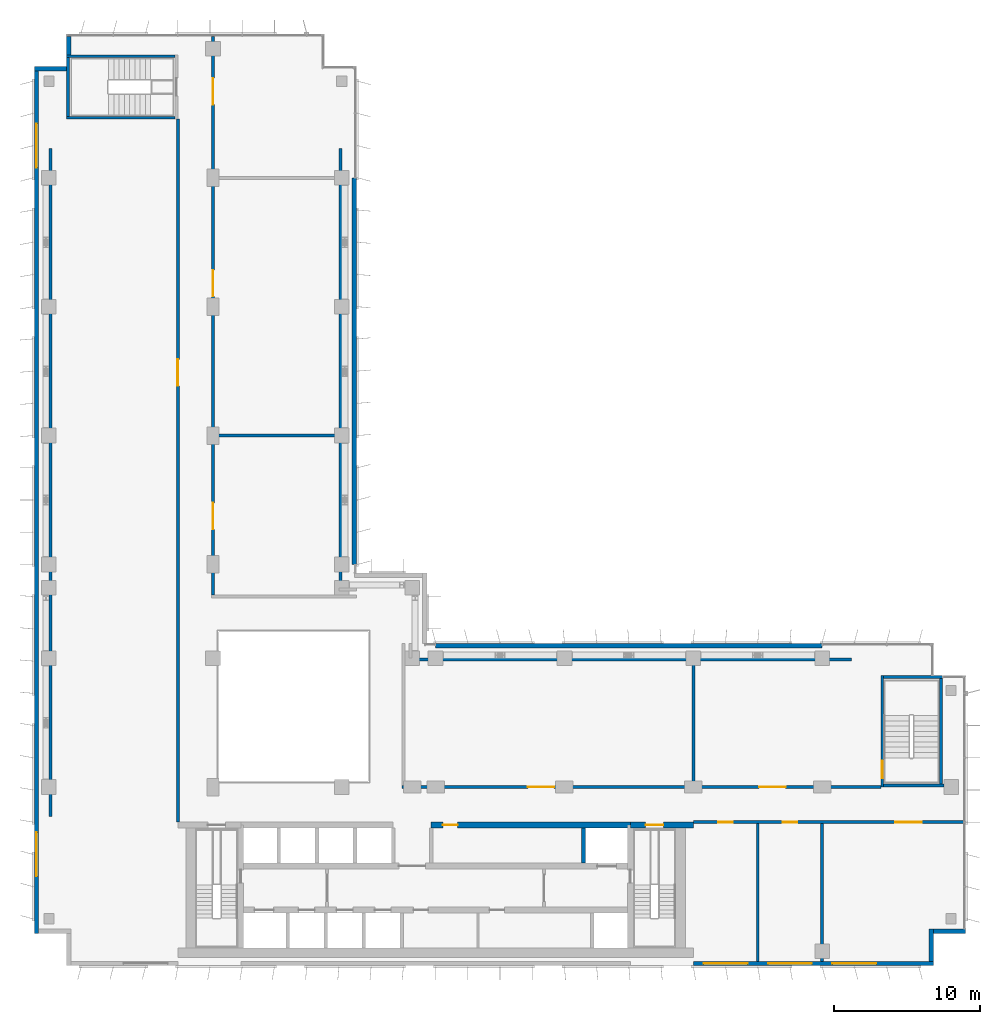
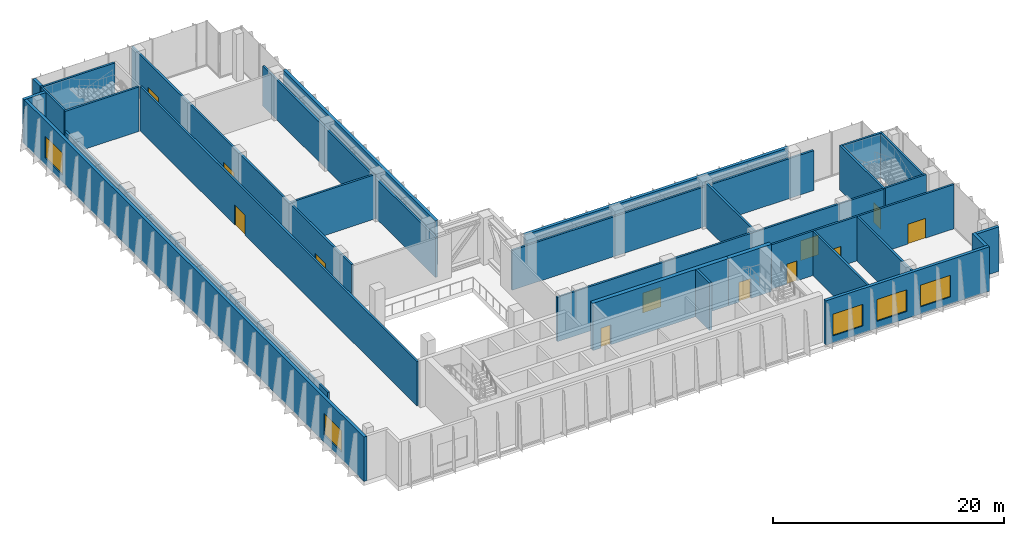
# One storey, part 12 of 17: 29 walls, 12 doors, 5 windows, 17 openings.
"""IFC4 building model written with IfcOpenShell, lengths in metres."""

from ifc_helpers import new_model, si_unit, direction, frame, frame_2d, origin, place, context, subcontext, project, spatial, rectangle, extrude, material, layer, layer_set, type_object, element, fill, save


model = new_model("IFC4")

# Units and contexts
model_context = context("Model", 3, precision=1e-05, world=origin(), true_north=direction((0.0, 1.0)))
body_context = subcontext(model_context, "Body", "Model", "MODEL_VIEW")
ifc_project = project(units=[si_unit("LENGTHUNIT", "METRE"), si_unit("AREAUNIT", "SQUARE_METRE"), si_unit("VOLUMEUNIT", "CUBIC_METRE"), si_unit("PLANEANGLEUNIT", "RADIAN"), si_unit("MASSUNIT", "GRAM", prefix="KILO")], contexts=[model_context])

# Site, building, storey
site_placement = place(None, origin())
site = spatial("IfcSite", under=ifc_project, at=site_placement, CompositionType="ELEMENT")
building_placement = place(site_placement, origin())
building = spatial("IfcBuilding", under=site, at=building_placement, Name="Kemantara Hotel Tower", CompositionType="ELEMENT")
storey_placement = place(building_placement, frame((0.0, 0.0, 193.800048828125)))
storey = spatial("IfcBuildingStorey", under=building, at=storey_placement, Name="L48", CompositionType="ELEMENT", Elevation=193.800048828125)

# Walls
ifc_material_1 = material(Name="Bronze anodised aluminium cladding on insulated steel stud wall", Category="steel")
ifc_layer_1 = layer(ifc_material_1, 0.300048828125)
ifc_layer_set_1 = layer_set([ifc_layer_1], Name="Bronze anodised aluminium cladding on insulated steel stud wall")
wall_type_1 = type_object("IfcWallType", Name="BRONZE METAL-CLAD EXTERNAL WALL 300", PredefinedType="STANDARD", material=ifc_layer_set_1)
wall_1_placement = place(storey_placement, frame((2.35009765625, 63.449951171875, 0.0), z_axis=(0.0, 0.0, 1.0), x_axis=(0.0, -1.0, 0.0)))
element("IfcWall", 1, at=wall_1_placement, inside=storey, type_object=wall_type_1, Name="EXTERNAL WALL L48 T3-R03", PredefinedType="STANDARD", context=body_context, shape_type="SweptSolid", body=[
    extrude(rectangle(XDim=1.25, YDim=0.300048828125, at=frame_2d((0.625, 0.0))), origin(), (0.0, 0.0, 1.0), 4.699951171875),
])
wall_2_placement = place(storey_placement, frame((2.199951171875, 61.25, 0.0), z_axis=(0.0, 0.0, 1.0), x_axis=(-1.0, 0.0, 0.0)))
element("IfcWall", 2, at=wall_2_placement, inside=storey, type_object=wall_type_1, Name="EXTERNAL WALL L48 T3-R04", PredefinedType="STANDARD", context=body_context, shape_type="SweptSolid", body=[
    extrude(rectangle(XDim=2.199951171875, YDim=0.300048828125, at=frame_2d((1.10009765625, 0.0))), origin(), (0.0, 0.0, 1.0), 4.699951171875),
])

# Wall, openings, windows
wall_3_placement = place(storey_placement, frame((0.14990234375, 61.10009765625, 0.0), z_axis=(0.0, 0.0, 1.0), x_axis=(0.0, -1.0, 0.0)))
wall_3 = element("IfcWall", 3, at=wall_3_placement, inside=storey, type_object=wall_type_1, Name="EXTERNAL WALL L48 T3-R05", PredefinedType="STANDARD", context=body_context, shape_type="SweptSolid", body=[
    extrude(rectangle(XDim=58.900146484375, YDim=0.300048828125, at=frame_2d((29.4501953125, 0.0))), origin(), (0.0, 0.0, 1.0), 4.699951171875),
])
opening_1_placement = place(wall_3_placement, frame((3.60009765625, 0.0, 0.75)))
opening_1 = element("IfcOpeningElement", 4, at=opening_1_placement, cuts=wall_3, Name="Opening W1", PredefinedType="OPENING", context=body_context, shape_type="SweptSolid", body=[
    extrude(rectangle(XDim=3.0, YDim=2.300048828125, at=frame_2d((1.5, 1.14990234375))), frame((0.0, 0.159912109375, 0.0), z_axis=(0.0, -1.0, 0.0), x_axis=(1.0, 0.0, 0.0)), (0.0, 0.0, 1.0), 0.320068359375),
])
opening_2_placement = place(wall_3_placement, frame((52.0, 0.0, 0.75)))
opening_2 = element("IfcOpeningElement", 5, at=opening_2_placement, cuts=wall_3, Name="Opening W1", PredefinedType="OPENING", context=body_context, shape_type="SweptSolid", body=[
    extrude(rectangle(XDim=3.0, YDim=2.300048828125, at=frame_2d((1.5, 1.14990234375))), frame((0.0, 0.159912109375, 0.0), z_axis=(0.0, -1.0, 0.0), x_axis=(1.0, 0.0, 0.0)), (0.0, 0.0, 1.0), 0.320068359375),
])
ifc_material_2 = material(Name="Low-E tinted double insulated glass in bronze anodised aluminium frame", Category="aluminium")
window_type = type_object("IfcWindowType", Name="CHICAGO WINDOW, TRIPLE PANEL 3000x2300", PartitioningType="TRIPLE_PANEL_VERTICAL", PredefinedType="WINDOW", material=ifc_material_2)
window_1_placement = place(opening_1_placement, origin())
window_1 = element("IfcWindow", 6, at=window_1_placement, inside=storey, type_object=window_type, Name="CHICAGO WINDOW L48 T3-R05-54", OverallHeight=2.300048828125, OverallWidth=3.0, PartitioningType="SINGLE_PANEL", PredefinedType="WINDOW", context=body_context, shape_type="SweptSolid", body=[
    extrude(rectangle(XDim=3.0, YDim=2.300048828125, at=frame_2d((1.5, 1.14990234375))), frame((0.0, 0.030029296875, 0.0), z_axis=(0.0, -1.0, 0.0), x_axis=(1.0, 0.0, 0.0)), (0.0, 0.0, 1.0), 0.06005859375),
])
fill(opening_1, window_1)
window_2_placement = place(opening_2_placement, origin())
window_2 = element("IfcWindow", 7, at=window_2_placement, inside=storey, type_object=window_type, Name="CHICAGO WINDOW L48 T3-R05-538", OverallHeight=2.300048828125, OverallWidth=3.0, PartitioningType="SINGLE_PANEL", PredefinedType="WINDOW", context=body_context, shape_type="SweptSolid", body=[
    extrude(rectangle(XDim=3.0, YDim=2.300048828125, at=frame_2d((1.5, 1.14990234375))), frame((0.0, 0.030029296875, 0.0), z_axis=(0.0, -1.0, 0.0), x_axis=(1.0, 0.0, 0.0)), (0.0, 0.0, 1.0), 0.06005859375),
])
fill(opening_2, window_2)

wall_4_placement = place(storey_placement, frame((45.0, 0.14990234375, 0.0), z_axis=(0.0, 0.0, 1.0), x_axis=(1.0, 0.0, 0.0)))
wall_4 = element("IfcWall", 8, at=wall_4_placement, inside=storey, type_object=wall_type_1, Name="EXTERNAL WALL L48 T3-R08-3", PredefinedType="STANDARD", context=body_context, shape_type="SweptSolid", body=[
    extrude(rectangle(XDim=16.39990234375, YDim=0.300048828125, at=frame_2d((8.199951171875, 0.0))), origin(), (0.0, 0.0, 1.0), 4.699951171875),
])
opening_3_placement = place(wall_4_placement, frame((0.699951171875, 0.0, 0.75)))
opening_3 = element("IfcOpeningElement", 9, at=opening_3_placement, cuts=wall_4, Name="Opening W1", PredefinedType="OPENING", context=body_context, shape_type="SweptSolid", body=[
    extrude(rectangle(XDim=3.0, YDim=2.300048828125, at=frame_2d((1.5, 1.14990234375))), frame((0.0, 0.159912109375, 0.0), z_axis=(0.0, -1.0, 0.0), x_axis=(1.0, 0.0, 0.0)), (0.0, 0.0, 1.0), 0.320068359375),
])
opening_4_placement = place(wall_4_placement, frame((5.10009765625, 0.0, 0.75)))
opening_4 = element("IfcOpeningElement", 10, at=opening_4_placement, cuts=wall_4, Name="Opening W1", PredefinedType="OPENING", context=body_context, shape_type="SweptSolid", body=[
    extrude(rectangle(XDim=3.0, YDim=2.300048828125, at=frame_2d((1.5, 1.14990234375))), frame((0.0, 0.159912109375, 0.0), z_axis=(0.0, -1.0, 0.0), x_axis=(1.0, 0.0, 0.0)), (0.0, 0.0, 1.0), 0.320068359375),
])
opening_5_placement = place(wall_4_placement, frame((9.5, 0.0, 0.75)))
opening_5 = element("IfcOpeningElement", 11, at=opening_5_placement, cuts=wall_4, Name="Opening W1", PredefinedType="OPENING", context=body_context, shape_type="SweptSolid", body=[
    extrude(rectangle(XDim=3.0, YDim=2.300048828125, at=frame_2d((1.5, 1.14990234375))), frame((0.0, 0.159912109375, 0.0), z_axis=(0.0, -1.0, 0.0), x_axis=(1.0, 0.0, 0.0)), (0.0, 0.0, 1.0), 0.320068359375),
])
window_3_placement = place(opening_3_placement, origin())
window_3 = element("IfcWindow", 12, at=window_3_placement, inside=storey, type_object=window_type, Name="CHICAGO WINDOW L48 T3-R08-450", OverallHeight=2.300048828125, OverallWidth=3.0, PartitioningType="SINGLE_PANEL", PredefinedType="WINDOW", context=body_context, shape_type="SweptSolid", body=[
    extrude(rectangle(XDim=3.0, YDim=2.300048828125, at=frame_2d((1.5, 1.14990234375))), frame((0.0, 0.030029296875, 0.0), z_axis=(0.0, -1.0, 0.0), x_axis=(1.0, 0.0, 0.0)), (0.0, 0.0, 1.0), 0.06005859375),
])
fill(opening_3, window_3)
window_4_placement = place(opening_4_placement, origin())
window_4 = element("IfcWindow", 13, at=window_4_placement, inside=storey, type_object=window_type, Name="CHICAGO WINDOW L48 T3-R08-494", OverallHeight=2.300048828125, OverallWidth=3.0, PartitioningType="SINGLE_PANEL", PredefinedType="WINDOW", context=body_context, shape_type="SweptSolid", body=[
    extrude(rectangle(XDim=3.0, YDim=2.300048828125, at=frame_2d((1.5, 1.14990234375))), frame((0.0, 0.030029296875, 0.0), z_axis=(0.0, -1.0, 0.0), x_axis=(1.0, 0.0, 0.0)), (0.0, 0.0, 1.0), 0.06005859375),
])
fill(opening_4, window_4)
window_5_placement = place(opening_5_placement, origin())
window_5 = element("IfcWindow", 14, at=window_5_placement, inside=storey, type_object=window_type, Name="CHICAGO WINDOW L48 T3-R08-538", OverallHeight=2.300048828125, OverallWidth=3.0, PartitioningType="SINGLE_PANEL", PredefinedType="WINDOW", context=body_context, shape_type="SweptSolid", body=[
    extrude(rectangle(XDim=3.0, YDim=2.300048828125, at=frame_2d((1.5, 1.14990234375))), frame((0.0, 0.030029296875, 0.0), z_axis=(0.0, -1.0, 0.0), x_axis=(1.0, 0.0, 0.0)), (0.0, 0.0, 1.0), 0.06005859375),
])
fill(opening_5, window_5)

# Walls
wall_5_placement = place(storey_placement, frame((61.25, 0.300048828125, 0.0), z_axis=(0.0, 0.0, 1.0), x_axis=(0.0, 1.0, 0.0)))
element("IfcWall", 15, at=wall_5_placement, inside=storey, type_object=wall_type_1, Name="EXTERNAL WALL L48 T3-R09", PredefinedType="STANDARD", context=body_context, shape_type="SweptSolid", body=[
    extrude(rectangle(XDim=2.199951171875, YDim=0.300048828125, at=frame_2d((1.10009765625, 0.0))), origin(), (0.0, 0.0, 1.0), 4.699951171875),
])
wall_6_placement = place(storey_placement, frame((61.39990234375, 2.35009765625, 0.0), z_axis=(0.0, 0.0, 1.0), x_axis=(1.0, 0.0, 0.0)))
element("IfcWall", 16, at=wall_6_placement, inside=storey, type_object=wall_type_1, Name="EXTERNAL WALL L48 T3-R10", PredefinedType="STANDARD", context=body_context, shape_type="SweptSolid", body=[
    extrude(rectangle(XDim=2.2001953125, YDim=0.300048828125, at=frame_2d((1.10009765625, 0.0))), origin(), (0.0, 0.0, 1.0), 4.699951171875),
])
for number, where, z_axis, x_axis, name in (
    (17, (53.800048828125, 21.85009765625, 0.0), (0.0, 0.0, 1.0), (-1.0, 0.0, 0.0), "EXTERNAL WALL L48 T3-R14.S0"),
    (18, (21.85009765625, 27.39990234375, 0.0), (0.0, 0.0, 1.0), (0.0, 1.0, 0.0), "EXTERNAL WALL L48 T3-R17.S0"),
):
    element("IfcWall", number, at=place(storey_placement, frame(where, z_axis=z_axis, x_axis=x_axis)), inside=storey, type_object=wall_type_1, Name=name, PredefinedType="STANDARD", context=body_context, shape_type="SweptSolid", body=[
        extrude(rectangle(XDim=26.400146484375, YDim=0.300048828125, at=frame_2d((13.2001953125, 0.0))), origin(), (0.0, 0.0, 1.0), 4.699951171875),
    ])
ifc_material_3 = material(Name="Concrete fc 60 MPa", Category="concrete")
ifc_layer_2 = layer(ifc_material_3, 0.25)
ifc_layer_set_2 = layer_set([ifc_layer_2], Name="Concrete fc 60 MPa")
wall_type_2 = type_object("IfcWallType", Name="CORE WALL 250 FC60", PredefinedType="SHEAR", material=ifc_layer_set_2)
wall_7_placement = place(storey_placement, frame((37.5, 7.0, 0.0), z_axis=(0.0, 0.0, 1.0), x_axis=(0.0, 1.0, 0.0)))
element("IfcWall", 19, at=wall_7_placement, inside=storey, type_object=wall_type_2, Name="CORE WALL CW-DN37.5", PredefinedType="SHEAR", context=body_context, shape_type="SweptSolid", body=[
    extrude(rectangle(XDim=2.39990234375, YDim=0.25, at=frame_2d((1.199951171875, 0.0))), origin(), (0.0, 0.0, 1.0), 5.0),
])

# Wall, opening, door
ifc_layer_3 = layer(ifc_material_3, 0.39990234375)
ifc_layer_set_3 = layer_set([ifc_layer_3], Name="Concrete fc 60 MPa")
wall_type_3 = type_object("IfcWallType", Name="CORE WALL 400 FC60", PredefinedType="SHEAR", material=ifc_layer_set_3)
wall_8_placement = place(storey_placement, frame((40.699951171875, 9.60009765625, 0.0), z_axis=(0.0, 0.0, 1.0), x_axis=(1.0, 0.0, 0.0)))
wall_8 = element("IfcWall", 20, at=wall_8_placement, inside=storey, type_object=wall_type_3, Name="CORE WALL CW-N2", PredefinedType="SHEAR", context=body_context, shape_type="SweptSolid", body=[
    extrude(rectangle(XDim=4.300048828125, YDim=0.39990234375, at=frame_2d((2.14990234375, 0.0))), origin(), (0.0, 0.0, 1.0), 5.0),
])
opening_6_placement = place(wall_8_placement, frame((1.050048828125, 0.0, 0.0)))
opening_6 = element("IfcOpeningElement", 21, at=opening_6_placement, cuts=wall_8, Name="Opening C29-ST2-C", PredefinedType="OPENING", context=body_context, shape_type="SweptSolid", body=[
    extrude(rectangle(XDim=1.199951171875, YDim=2.10009765625, at=frame_2d((0.60009765625, 1.050048828125))), frame((0.0, 0.2099609375, 0.0), z_axis=(0.0, -1.0, 0.0), x_axis=(1.0, 0.0, 0.0)), (0.0, 0.0, 1.0), 0.419921875),
])
ifc_material_4 = material(Name="Steel fire door", Category="steel")
door_type_1 = type_object("IfcDoorType", Name="Fire door FD90 1200 x 2100", OperationType="NOTDEFINED", PredefinedType="DOOR", material=ifc_material_4)
door_1_placement = place(opening_6_placement, frame((1.199951171875, 0.0, 0.0), z_axis=(0.0, 0.0, 1.0), x_axis=(-1.0, 0.0, 0.0)))
door_1 = element("IfcDoor", 22, at=door_1_placement, inside=storey, type_object=door_type_1, Name="Stair ST2 door to corridor", OperationType="SINGLE_SWING_RIGHT", OverallHeight=2.10009765625, OverallWidth=1.199951171875, PredefinedType="DOOR", context=body_context, shape_type="SweptSolid", body=[
    extrude(rectangle(XDim=1.199951171875, YDim=2.10009765625, at=frame_2d((0.60009765625, 1.050048828125))), frame((0.0, 0.02490234375, 0.0), z_axis=(0.0, -1.0, 0.0), x_axis=(1.0, 0.0, 0.0)), (0.0, 0.0, 1.0), 0.050048828125),
])
fill(opening_6, door_1)

wall_9_placement = place(storey_placement, frame((27.10009765625, 9.60009765625, 0.0), z_axis=(0.0, 0.0, 1.0), x_axis=(1.0, 0.0, 0.0)))
wall_9 = element("IfcWall", 23, at=wall_9_placement, inside=storey, type_object=wall_type_3, Name="CORE WALL CW-NN2", PredefinedType="SHEAR", context=body_context, shape_type="SweptSolid", body=[
    extrude(rectangle(XDim=13.599853515625, YDim=0.39990234375, at=frame_2d((6.7998046875, 0.0))), origin(), (0.0, 0.0, 1.0), 5.0),
])
opening_7_placement = place(wall_9_placement, frame((0.800048828125, 0.0, 0.0)))
opening_7 = element("IfcOpeningElement", 24, at=opening_7_placement, cuts=wall_9, Name="Opening C29-R-NE1", PredefinedType="OPENING", context=body_context, shape_type="SweptSolid", body=[
    extrude(rectangle(XDim=1.0, YDim=2.10009765625, at=frame_2d((0.5, 1.050048828125))), frame((0.0, 0.2099609375, 0.0), z_axis=(0.0, -1.0, 0.0), x_axis=(1.0, 0.0, 0.0)), (0.0, 0.0, 1.0), 0.419921875),
])
door_type_2 = type_object("IfcDoorType", Name="Fire door FD60 1000 x 2100", OperationType="NOTDEFINED", PredefinedType="DOOR", material=ifc_material_4)
door_2_placement = place(opening_7_placement, frame((1.0, 0.0, 0.0), z_axis=(0.0, 0.0, 1.0), x_axis=(-1.0, 0.0, 0.0)))
door_2 = element("IfcDoor", 25, at=door_2_placement, inside=storey, type_object=door_type_2, Name="Chilled Water Plant Room door", OperationType="SINGLE_SWING_RIGHT", OverallHeight=2.10009765625, OverallWidth=1.0, PredefinedType="DOOR", context=body_context, shape_type="SweptSolid", body=[
    extrude(rectangle(XDim=1.0, YDim=2.10009765625, at=frame_2d((0.5, 1.050048828125))), frame((0.0, 0.02490234375, 0.0), z_axis=(0.0, -1.0, 0.0), x_axis=(1.0, 0.0, 0.0)), (0.0, 0.0, 1.0), 0.050048828125),
])
fill(opening_7, door_2)

ifc_material_5 = material(Name="Concrete fc 40 MPa", Category="concrete")
ifc_layer_4 = layer(ifc_material_5, 0.199951171875)
ifc_layer_set_4 = layer_set([ifc_layer_4], Name="Concrete fc 40 MPa")
wall_type_4 = type_object("IfcWallType", Name="Concrete stair wall 200 mm", PredefinedType="SHEAR", material=ifc_layer_set_4)
wall_10_placement = place(storey_placement, frame((57.89990234375, 12.199951171875, 0.0), z_axis=(0.0, 0.0, 1.0), x_axis=(0.0, 1.0, 0.0)))
wall_10 = element("IfcWall", 26, at=wall_10_placement, inside=storey, type_object=wall_type_4, Name="Stair ST3 enclosure wall with door", PredefinedType="SHEAR", context=body_context, shape_type="SweptSolid", body=[
    extrude(rectangle(XDim=7.60009765625, YDim=0.199951171875, at=frame_2d((3.800048828125, 0.0))), origin(), (0.0, 0.0, 1.0), 4.699951171875),
])
opening_8_placement = place(wall_10_placement, frame((0.60009765625, 0.0, 0.0)))
opening_8 = element("IfcOpeningElement", 27, at=opening_8_placement, cuts=wall_10, Name="Opening ST3-C", PredefinedType="OPENING", context=body_context, shape_type="SweptSolid", body=[
    extrude(rectangle(XDim=1.199951171875, YDim=2.10009765625, at=frame_2d((0.60009765625, 1.050048828125))), frame((0.0, 0.10986328125, 0.0), z_axis=(0.0, -1.0, 0.0), x_axis=(1.0, 0.0, 0.0)), (0.0, 0.0, 1.0), 0.219970703125),
])
door_3_placement = place(opening_8_placement, frame((1.199951171875, 0.0, 0.0), z_axis=(0.0, 0.0, 1.0), x_axis=(-1.0, 0.0, 0.0)))
door_3 = element("IfcDoor", 28, at=door_3_placement, inside=storey, type_object=door_type_1, Name="Stair ST3 door", OperationType="SINGLE_SWING_RIGHT", OverallHeight=2.10009765625, OverallWidth=1.199951171875, PredefinedType="DOOR", context=body_context, shape_type="SweptSolid", body=[
    extrude(rectangle(XDim=1.199951171875, YDim=2.10009765625, at=frame_2d((0.60009765625, 1.050048828125))), frame((0.0, 0.02490234375, 0.0), z_axis=(0.0, -1.0, 0.0), x_axis=(1.0, 0.0, 0.0)), (0.0, 0.0, 1.0), 0.050048828125),
])
fill(opening_8, door_3)

# Walls
wall_11_placement = place(storey_placement, frame((58.0, 19.699951171875, 0.0), z_axis=(0.0, 0.0, 1.0), x_axis=(1.0, 0.0, 0.0)))
element("IfcWall", 29, at=wall_11_placement, inside=storey, type_object=wall_type_4, Name="Stair ST3 enclosure wall N", PredefinedType="SHEAR", context=body_context, shape_type="SweptSolid", body=[
    extrude(rectangle(XDim=4.0, YDim=0.199951171875, at=frame_2d((2.0, 0.0))), origin(), (0.0, 0.0, 1.0), 4.699951171875),
])
wall_12_placement = place(storey_placement, frame((58.0, 12.300048828125, 0.0), z_axis=(0.0, 0.0, 1.0), x_axis=(1.0, 0.0, 0.0)))
element("IfcWall", 30, at=wall_12_placement, inside=storey, type_object=wall_type_4, Name="Stair ST3 enclosure wall S", PredefinedType="SHEAR", context=body_context, shape_type="SweptSolid", body=[
    extrude(rectangle(XDim=4.10009765625, YDim=0.199951171875, at=frame_2d((2.050048828125, 0.0))), origin(), (0.0, 0.0, 1.0), 4.699951171875),
])
wall_13_placement = place(storey_placement, frame((61.89990234375, 12.39990234375, 0.0), z_axis=(0.0, 0.0, 1.0), x_axis=(0.0, 1.0, 0.0)))
element("IfcWall", 31, at=wall_13_placement, inside=storey, type_object=wall_type_4, Name="Stair ST3 enclosure wall E", PredefinedType="SHEAR", context=body_context, shape_type="SweptSolid", body=[
    extrude(rectangle(XDim=7.2001953125, YDim=0.199951171875, at=frame_2d((3.60009765625, 0.0))), origin(), (0.0, 0.0, 1.0), 4.699951171875),
])
for number, where, z_axis, x_axis, name in (
    (32, (2.199951171875, 62.10009765625, 0.0), (0.0, 0.0, 1.0), (1.0, 0.0, 0.0), "Stair ST4 enclosure wall N"),
    (33, (2.199951171875, 57.89990234375, 0.0), (0.0, 0.0, 1.0), (1.0, 0.0, 0.0), "Stair ST4 enclosure wall S"),
):
    element("IfcWall", number, at=place(storey_placement, frame(where, z_axis=z_axis, x_axis=x_axis)), inside=storey, type_object=wall_type_4, Name=name, PredefinedType="SHEAR", context=body_context, shape_type="SweptSolid", body=[
        extrude(rectangle(XDim=7.400146484375, YDim=0.199951171875, at=frame_2d((3.7001953125, 0.0))), origin(), (0.0, 0.0, 1.0), 4.699951171875),
    ])
wall_14_placement = place(storey_placement, frame((2.300048828125, 58.0, 0.0), z_axis=(0.0, 0.0, 1.0), x_axis=(0.0, 1.0, 0.0)))
element("IfcWall", 34, at=wall_14_placement, inside=storey, type_object=wall_type_4, Name="Stair ST4 enclosure wall W", PredefinedType="SHEAR", context=body_context, shape_type="SweptSolid", body=[
    extrude(rectangle(XDim=4.0, YDim=0.199951171875, at=frame_2d((2.0, 0.0))), origin(), (0.0, 0.0, 1.0), 4.699951171875),
])
ifc_material_6 = material(Name="Clay brick masonry", Category="masonry")
ifc_layer_5 = layer(ifc_material_6, 0.199951171875)
ifc_layer_set_5 = layer_set([ifc_layer_5], Name="Clay brick masonry")
wall_type_5 = type_object("IfcWallType", Name="FIRE-RATED CLAY BRICK WALL 200 EI 120", PredefinedType="PARTITIONING", material=ifc_layer_set_5)
wall_15_placement = place(storey_placement, frame((12.300048828125, 36.199951171875, 0.0), z_axis=(0.0, 0.0, 1.0), x_axis=(1.0, 0.0, 0.0)))
element("IfcWall", 35, at=wall_15_placement, inside=storey, type_object=wall_type_5, Name="FIRE WALL", PredefinedType="PARTITIONING", context=body_context, shape_type="SweptSolid", body=[
    extrude(rectangle(XDim=8.5, YDim=0.199951171875, at=frame_2d((4.25, 0.0))), origin(), (0.0, 0.0, 1.0), 4.699951171875),
])
wall_16_placement = place(storey_placement, frame((25.60009765625, 20.89990234375, 0.0), z_axis=(0.0, 0.0, 1.0), x_axis=(1.0, 0.0, 0.0)))
element("IfcWall", 36, at=wall_16_placement, inside=storey, type_object=wall_type_5, Name="FIRE WALL", PredefinedType="PARTITIONING", context=body_context, shape_type="SweptSolid", body=[
    extrude(rectangle(XDim=30.195556640625, YDim=0.199951171875, at=frame_2d((15.09765625, 0.0))), origin(), (0.0, 0.0, 1.0), 4.224853515625),
])
wall_17_placement = place(storey_placement, frame((53.800048828125, 0.300048828125, 0.0), z_axis=(0.0, 0.0, 1.0), x_axis=(0.0, 1.0, 0.0)))
element("IfcWall", 37, at=wall_17_placement, inside=storey, type_object=wall_type_5, Name="FIRE WALL", PredefinedType="PARTITIONING", context=body_context, shape_type="SweptSolid", body=[
    extrude(rectangle(XDim=9.39990234375, YDim=0.199951171875, at=frame_2d((4.699951171875, 0.0))), origin(), (0.0, 0.0, 1.0), 4.699951171875),
])
wall_18_placement = place(storey_placement, frame((45.0, 12.300048828125, 0.0), z_axis=(0.0, 0.0, 1.0), x_axis=(0.0, 1.0, 0.0)))
element("IfcWall", 38, at=wall_18_placement, inside=storey, type_object=wall_type_5, Name="FIRE WALL", PredefinedType="PARTITIONING", context=body_context, shape_type="SweptSolid", body=[
    extrude(rectangle(XDim=8.5, YDim=0.199951171875, at=frame_2d((4.25, 0.0))), origin(), (0.0, 0.0, 1.0), 4.699951171875),
])
wall_19_placement = place(storey_placement, frame((49.39990234375, 0.300048828125, 0.0), z_axis=(0.0, 0.0, 1.0), x_axis=(0.0, 1.0, 0.0)))
element("IfcWall", 39, at=wall_19_placement, inside=storey, type_object=wall_type_5, Name="FIRE WALL", PredefinedType="PARTITIONING", context=body_context, shape_type="SweptSolid", body=[
    extrude(rectangle(XDim=9.39990234375, YDim=0.199951171875, at=frame_2d((4.699951171875, 0.0))), origin(), (0.0, 0.0, 1.0), 4.699951171875),
])
wall_20_placement = place(storey_placement, frame((20.89990234375, 25.800048828125, 0.0), z_axis=(0.0, 0.0, 1.0), x_axis=(0.0, 1.0, 0.0)))
element("IfcWall", 40, at=wall_20_placement, inside=storey, type_object=wall_type_5, Name="FIRE WALL", PredefinedType="PARTITIONING", context=body_context, shape_type="SweptSolid", body=[
    extrude(rectangle(XDim=29.99560546875, YDim=0.199951171875, at=frame_2d((14.997802734375, 0.0))), origin(), (0.0, 0.0, 1.0), 4.224853515625),
])
wall_21_placement = place(storey_placement, frame((1.10009765625, 10.204345703125, 0.0), z_axis=(0.0, 0.0, 1.0), x_axis=(0.0, 1.0, 0.0)))
element("IfcWall", 41, at=wall_21_placement, inside=storey, type_object=wall_type_5, Name="FIRE WALL", PredefinedType="PARTITIONING", context=body_context, shape_type="SweptSolid", body=[
    extrude(rectangle(XDim=45.59130859375, YDim=0.199951171875, at=frame_2d((22.795654296875, 0.0))), origin(), (0.0, 0.0, 1.0), 4.224853515625),
])

# Wall, openings, doors
ifc_material_7 = material(Name="Fire-rated gypsum board partition")
ifc_layer_6 = layer(ifc_material_7, 0.199951171875)
ifc_layer_set_6 = layer_set([ifc_layer_6], Name="Fire-rated gypsum board partition")
wall_type_6 = type_object("IfcWallType", Name="FIRE-RATED GYPSUM PARTITION 200 EI 60", PredefinedType="PARTITIONING", material=ifc_layer_set_6)
wall_22_placement = place(storey_placement, frame((45.0, 9.800048828125, 0.0), z_axis=(0.0, 0.0, 1.0), x_axis=(1.0, 0.0, 0.0)))
wall_22 = element("IfcWall", 42, at=wall_22_placement, inside=storey, type_object=wall_type_6, Name="FIRE-RATED PARTITION", PredefinedType="PARTITIONING", context=body_context, shape_type="SweptSolid", body=[
    extrude(rectangle(XDim=18.449951171875, YDim=0.199951171875, at=frame_2d((9.22509765625, 0.0))), origin(), (0.0, 0.0, 1.0), 4.699951171875),
])
opening_9_placement = place(wall_22_placement, frame((13.800048828125, 0.0, 0.0)))
opening_9 = element("IfcOpeningElement", 43, at=opening_9_placement, cuts=wall_22, Name="Opening L48-B001", PredefinedType="OPENING", context=body_context, shape_type="SweptSolid", body=[
    extrude(rectangle(XDim=1.800048828125, YDim=2.10009765625, at=frame_2d((0.89990234375, 1.050048828125))), frame((0.0, 0.10986328125, 0.0), z_axis=(0.0, -1.0, 0.0), x_axis=(1.0, 0.0, 0.0)), (0.0, 0.0, 1.0), 0.219970703125),
])
opening_10_placement = place(wall_22_placement, frame((1.699951171875, 0.0, 0.0)))
opening_10 = element("IfcOpeningElement", 44, at=opening_10_placement, cuts=wall_22, Name="Opening L48-B008", PredefinedType="OPENING", context=body_context, shape_type="SweptSolid", body=[
    extrude(rectangle(XDim=1.0, YDim=2.10009765625, at=frame_2d((0.5, 1.050048828125))), frame((0.0, 0.10986328125, 0.0), z_axis=(0.0, -1.0, 0.0), x_axis=(1.0, 0.0, 0.0)), (0.0, 0.0, 1.0), 0.219970703125),
])
opening_11_placement = place(wall_22_placement, frame((6.10009765625, 0.0, 0.0)))
opening_11 = element("IfcOpeningElement", 45, at=opening_11_placement, cuts=wall_22, Name="Opening L48-B009", PredefinedType="OPENING", context=body_context, shape_type="SweptSolid", body=[
    extrude(rectangle(XDim=1.0, YDim=2.10009765625, at=frame_2d((0.5, 1.050048828125))), frame((0.0, 0.10986328125, 0.0), z_axis=(0.0, -1.0, 0.0), x_axis=(1.0, 0.0, 0.0)), (0.0, 0.0, 1.0), 0.219970703125),
])
ifc_material_8 = material(Name="Galvanised steel door leaf", Category="steel")
door_type_3 = type_object("IfcDoorType", Name="FIRE-RATED STEEL DOOR 1000 X 2100", OperationType="SINGLE_SWING_LEFT", PredefinedType="DOOR", material=ifc_material_8)
door_4_placement = place(opening_10_placement, origin())
door_4 = element("IfcDoor", 46, at=door_4_placement, inside=storey, type_object=door_type_3, Name="FIRE-RATED STEEL DOOR", OperationType="SINGLE_SWING_LEFT", OverallHeight=2.10009765625, OverallWidth=1.0, PredefinedType="DOOR", context=body_context, shape_type="SweptSolid", body=[
    extrude(rectangle(XDim=1.0, YDim=2.10009765625, at=frame_2d((0.5, 1.050048828125))), frame((0.0, 0.02490234375, 0.0), z_axis=(0.0, -1.0, 0.0), x_axis=(1.0, 0.0, 0.0)), (0.0, 0.0, 1.0), 0.050048828125),
])
fill(opening_10, door_4)
door_5_placement = place(opening_11_placement, origin())
door_5 = element("IfcDoor", 47, at=door_5_placement, inside=storey, type_object=door_type_3, Name="FIRE-RATED STEEL DOOR", OperationType="SINGLE_SWING_LEFT", OverallHeight=2.10009765625, OverallWidth=1.0, PredefinedType="DOOR", context=body_context, shape_type="SweptSolid", body=[
    extrude(rectangle(XDim=1.0, YDim=2.10009765625, at=frame_2d((0.5, 1.050048828125))), frame((0.0, 0.02490234375, 0.0), z_axis=(0.0, -1.0, 0.0), x_axis=(1.0, 0.0, 0.0)), (0.0, 0.0, 1.0), 0.050048828125),
])
fill(opening_11, door_5)
door_type_4 = type_object("IfcDoorType", Name="FIRE-RATED STEEL DOOR DOUBLE LEAF 1800 X 2100", OperationType="DOUBLE_DOOR_SINGLE_SWING", PredefinedType="DOOR", material=ifc_material_8)
door_6_placement = place(opening_9_placement, origin())
door_6 = element("IfcDoor", 48, at=door_6_placement, inside=storey, type_object=door_type_4, Name="FIRE-RATED STEEL DOOR DOUBLE LEAF", OperationType="DOUBLE_DOOR_SINGLE_SWING", OverallHeight=2.10009765625, OverallWidth=1.800048828125, PredefinedType="DOOR", context=body_context, shape_type="SweptSolid", body=[
    extrude(rectangle(XDim=1.800048828125, YDim=2.10009765625, at=frame_2d((0.89990234375, 1.050048828125))), frame((0.0, 0.02490234375, 0.0), z_axis=(0.0, -1.0, 0.0), x_axis=(1.0, 0.0, 0.0)), (0.0, 0.0, 1.0), 0.050048828125),
])
fill(opening_9, door_6)

wall_23_placement = place(storey_placement, frame((25.10009765625, 12.199951171875, 0.0), z_axis=(0.0, 0.0, 1.0), x_axis=(1.0, 0.0, 0.0)))
wall_23 = element("IfcWall", 49, at=wall_23_placement, inside=storey, type_object=wall_type_6, Name="FIRE-RATED PARTITION", PredefinedType="PARTITIONING", context=body_context, shape_type="SweptSolid", body=[
    extrude(rectangle(XDim=32.699951171875, YDim=0.199951171875, at=frame_2d((16.35009765625, 0.0))), origin(), (0.0, 0.0, 1.0), 4.699951171875),
])
opening_12_placement = place(wall_23_placement, frame((8.60009765625, 0.0, 0.0)))
opening_12 = element("IfcOpeningElement", 50, at=opening_12_placement, cuts=wall_23, Name="Opening L48-B002", PredefinedType="OPENING", context=body_context, shape_type="SweptSolid", body=[
    extrude(rectangle(XDim=1.800048828125, YDim=2.10009765625, at=frame_2d((0.89990234375, 1.050048828125))), frame((0.0, 0.10986328125, 0.0), z_axis=(0.0, -1.0, 0.0), x_axis=(1.0, 0.0, 0.0)), (0.0, 0.0, 1.0), 0.219970703125),
])
opening_13_placement = place(wall_23_placement, frame((24.39990234375, 0.0, 0.0)))
opening_13 = element("IfcOpeningElement", 51, at=opening_13_placement, cuts=wall_23, Name="Opening L48-B003", PredefinedType="OPENING", context=body_context, shape_type="SweptSolid", body=[
    extrude(rectangle(XDim=1.800048828125, YDim=2.10009765625, at=frame_2d((0.89990234375, 1.050048828125))), frame((0.0, 0.10986328125, 0.0), z_axis=(0.0, -1.0, 0.0), x_axis=(1.0, 0.0, 0.0)), (0.0, 0.0, 1.0), 0.219970703125),
])
door_7_placement = place(opening_12_placement, frame((1.800048828125, 0.0, 0.0), z_axis=(0.0, 0.0, 1.0), x_axis=(-1.0, 0.0, 0.0)))
door_7 = element("IfcDoor", 52, at=door_7_placement, inside=storey, type_object=door_type_4, Name="FIRE-RATED STEEL DOOR DOUBLE LEAF", OperationType="DOUBLE_DOOR_SINGLE_SWING", OverallHeight=2.10009765625, OverallWidth=1.800048828125, PredefinedType="DOOR", context=body_context, shape_type="SweptSolid", body=[
    extrude(rectangle(XDim=1.800048828125, YDim=2.10009765625, at=frame_2d((0.89990234375, 1.050048828125))), frame((0.0, 0.02490234375, 0.0), z_axis=(0.0, -1.0, 0.0), x_axis=(1.0, 0.0, 0.0)), (0.0, 0.0, 1.0), 0.050048828125),
])
fill(opening_12, door_7)
door_8_placement = place(opening_13_placement, frame((1.800048828125, 0.0, 0.0), z_axis=(0.0, 0.0, 1.0), x_axis=(-1.0, 0.0, 0.0)))
door_8 = element("IfcDoor", 53, at=door_8_placement, inside=storey, type_object=door_type_4, Name="FIRE-RATED STEEL DOOR DOUBLE LEAF", OperationType="DOUBLE_DOOR_SINGLE_SWING", OverallHeight=2.10009765625, OverallWidth=1.800048828125, PredefinedType="DOOR", context=body_context, shape_type="SweptSolid", body=[
    extrude(rectangle(XDim=1.800048828125, YDim=2.10009765625, at=frame_2d((0.89990234375, 1.050048828125))), frame((0.0, 0.02490234375, 0.0), z_axis=(0.0, -1.0, 0.0), x_axis=(1.0, 0.0, 0.0)), (0.0, 0.0, 1.0), 0.050048828125),
])
fill(opening_13, door_8)

# Wall, opening, door
wall_24_placement = place(storey_placement, frame((9.800048828125, 9.800048828125, 0.0), z_axis=(0.0, 0.0, 1.0), x_axis=(0.0, 1.0, 0.0)))
wall_24 = element("IfcWall", 54, at=wall_24_placement, inside=storey, type_object=wall_type_6, Name="FIRE-RATED PARTITION", PredefinedType="PARTITIONING", context=body_context, shape_type="SweptSolid", body=[
    extrude(rectangle(XDim=48.0, YDim=0.199951171875, at=frame_2d((24.0, 0.0))), origin(), (0.0, 0.0, 1.0), 4.699951171875),
])
opening_14_placement = place(wall_24_placement, frame((29.800048828125, 0.0, 0.0)))
opening_14 = element("IfcOpeningElement", 55, at=opening_14_placement, cuts=wall_24, Name="Opening L48-B007", PredefinedType="OPENING", context=body_context, shape_type="SweptSolid", body=[
    extrude(rectangle(XDim=1.800048828125, YDim=2.10009765625, at=frame_2d((0.89990234375, 1.050048828125))), frame((0.0, 0.10986328125, 0.0), z_axis=(0.0, -1.0, 0.0), x_axis=(1.0, 0.0, 0.0)), (0.0, 0.0, 1.0), 0.219970703125),
])
door_9_placement = place(opening_14_placement, frame((1.800048828125, 0.0, 0.0), z_axis=(0.0, 0.0, 1.0), x_axis=(-1.0, 0.0, 0.0)))
door_9 = element("IfcDoor", 56, at=door_9_placement, inside=storey, type_object=door_type_4, Name="FIRE-RATED STEEL DOOR DOUBLE LEAF", OperationType="DOUBLE_DOOR_SINGLE_SWING", OverallHeight=2.10009765625, OverallWidth=1.800048828125, PredefinedType="DOOR", context=body_context, shape_type="SweptSolid", body=[
    extrude(rectangle(XDim=1.800048828125, YDim=2.10009765625, at=frame_2d((0.89990234375, 1.050048828125))), frame((0.0, 0.02490234375, 0.0), z_axis=(0.0, -1.0, 0.0), x_axis=(1.0, 0.0, 0.0)), (0.0, 0.0, 1.0), 0.050048828125),
])
fill(opening_14, door_9)

# Wall, openings, doors
wall_25_placement = place(storey_placement, frame((12.199951171875, 25.300048828125, 0.0), z_axis=(0.0, 0.0, 1.0), x_axis=(0.0, 1.0, 0.0)))
wall_25 = element("IfcWall", 57, at=wall_25_placement, inside=storey, type_object=wall_type_6, Name="FIRE-RATED PARTITION", PredefinedType="PARTITIONING", context=body_context, shape_type="SweptSolid", body=[
    extrude(rectangle(XDim=38.14990234375, YDim=0.199951171875, at=frame_2d((19.074951171875, 0.0))), origin(), (0.0, 0.0, 1.0), 4.699951171875),
])
opening_15_placement = place(wall_25_placement, frame((4.5, 0.0, 0.0)))
opening_15 = element("IfcOpeningElement", 58, at=opening_15_placement, cuts=wall_25, Name="Opening L48-B004", PredefinedType="OPENING", context=body_context, shape_type="SweptSolid", body=[
    extrude(rectangle(XDim=1.800048828125, YDim=2.10009765625, at=frame_2d((0.89990234375, 1.050048828125))), frame((0.0, 0.10986328125, 0.0), z_axis=(0.0, -1.0, 0.0), x_axis=(1.0, 0.0, 0.0)), (0.0, 0.0, 1.0), 0.219970703125),
])
opening_16_placement = place(wall_25_placement, frame((20.39990234375, 0.0, 0.0)))
opening_16 = element("IfcOpeningElement", 59, at=opening_16_placement, cuts=wall_25, Name="Opening L48-B005", PredefinedType="OPENING", context=body_context, shape_type="SweptSolid", body=[
    extrude(rectangle(XDim=1.800048828125, YDim=2.10009765625, at=frame_2d((0.89990234375, 1.050048828125))), frame((0.0, 0.10986328125, 0.0), z_axis=(0.0, -1.0, 0.0), x_axis=(1.0, 0.0, 0.0)), (0.0, 0.0, 1.0), 0.219970703125),
])
opening_17_placement = place(wall_25_placement, frame((33.5, 0.0, 0.0)))
opening_17 = element("IfcOpeningElement", 60, at=opening_17_placement, cuts=wall_25, Name="Opening L48-B006", PredefinedType="OPENING", context=body_context, shape_type="SweptSolid", body=[
    extrude(rectangle(XDim=1.800048828125, YDim=2.10009765625, at=frame_2d((0.89990234375, 1.050048828125))), frame((0.0, 0.10986328125, 0.0), z_axis=(0.0, -1.0, 0.0), x_axis=(1.0, 0.0, 0.0)), (0.0, 0.0, 1.0), 0.219970703125),
])
door_10_placement = place(opening_15_placement, origin())
door_10 = element("IfcDoor", 61, at=door_10_placement, inside=storey, type_object=door_type_4, Name="FIRE-RATED STEEL DOOR DOUBLE LEAF", OperationType="DOUBLE_DOOR_SINGLE_SWING", OverallHeight=2.10009765625, OverallWidth=1.800048828125, PredefinedType="DOOR", context=body_context, shape_type="SweptSolid", body=[
    extrude(rectangle(XDim=1.800048828125, YDim=2.10009765625, at=frame_2d((0.89990234375, 1.050048828125))), frame((0.0, 0.02490234375, 0.0), z_axis=(0.0, -1.0, 0.0), x_axis=(1.0, 0.0, 0.0)), (0.0, 0.0, 1.0), 0.050048828125),
])
fill(opening_15, door_10)
door_11_placement = place(opening_16_placement, origin())
door_11 = element("IfcDoor", 62, at=door_11_placement, inside=storey, type_object=door_type_4, Name="FIRE-RATED STEEL DOOR DOUBLE LEAF", OperationType="DOUBLE_DOOR_SINGLE_SWING", OverallHeight=2.10009765625, OverallWidth=1.800048828125, PredefinedType="DOOR", context=body_context, shape_type="SweptSolid", body=[
    extrude(rectangle(XDim=1.800048828125, YDim=2.10009765625, at=frame_2d((0.89990234375, 1.050048828125))), frame((0.0, 0.02490234375, 0.0), z_axis=(0.0, -1.0, 0.0), x_axis=(1.0, 0.0, 0.0)), (0.0, 0.0, 1.0), 0.050048828125),
])
fill(opening_16, door_11)
door_12_placement = place(opening_17_placement, origin())
door_12 = element("IfcDoor", 63, at=door_12_placement, inside=storey, type_object=door_type_4, Name="FIRE-RATED STEEL DOOR DOUBLE LEAF", OperationType="DOUBLE_DOOR_SINGLE_SWING", OverallHeight=2.10009765625, OverallWidth=1.800048828125, PredefinedType="DOOR", context=body_context, shape_type="SweptSolid", body=[
    extrude(rectangle(XDim=1.800048828125, YDim=2.10009765625, at=frame_2d((0.89990234375, 1.050048828125))), frame((0.0, 0.02490234375, 0.0), z_axis=(0.0, -1.0, 0.0), x_axis=(1.0, 0.0, 0.0)), (0.0, 0.0, 1.0), 0.050048828125),
])
fill(opening_17, door_12)

save(model, "model.ifc")
